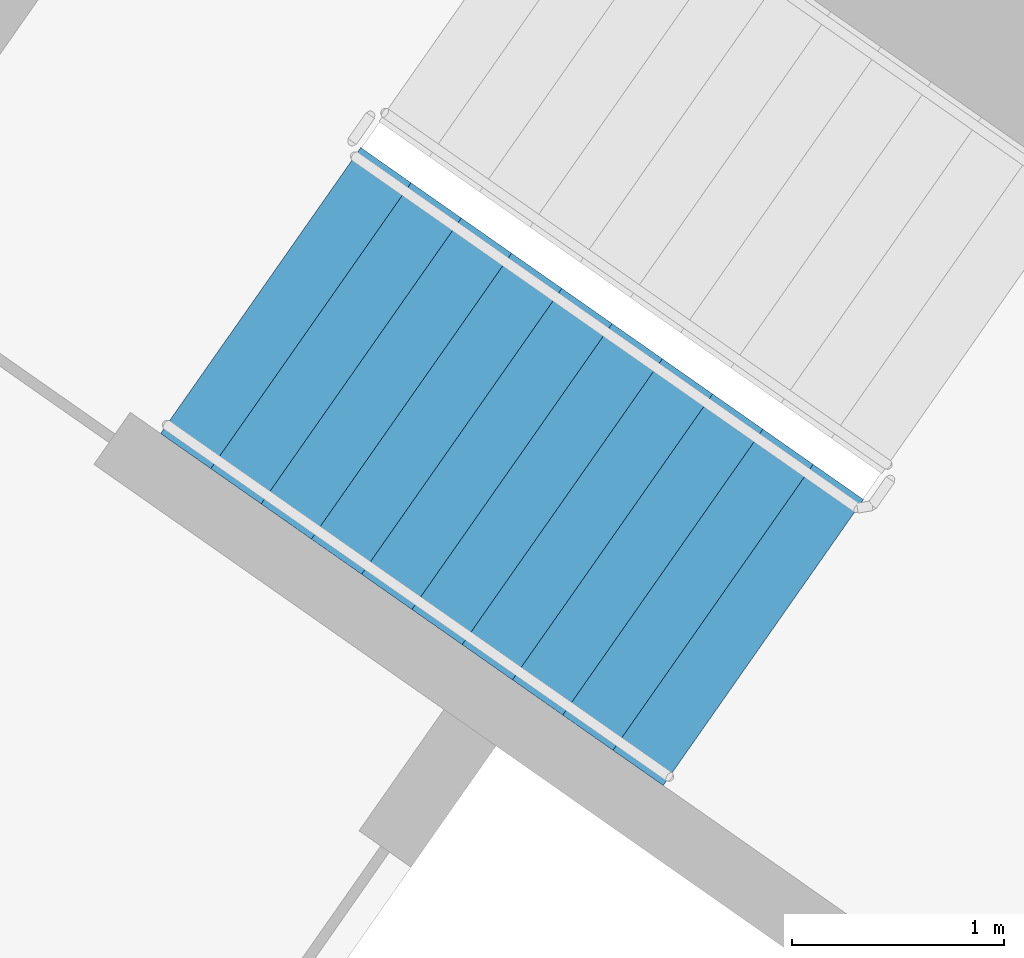
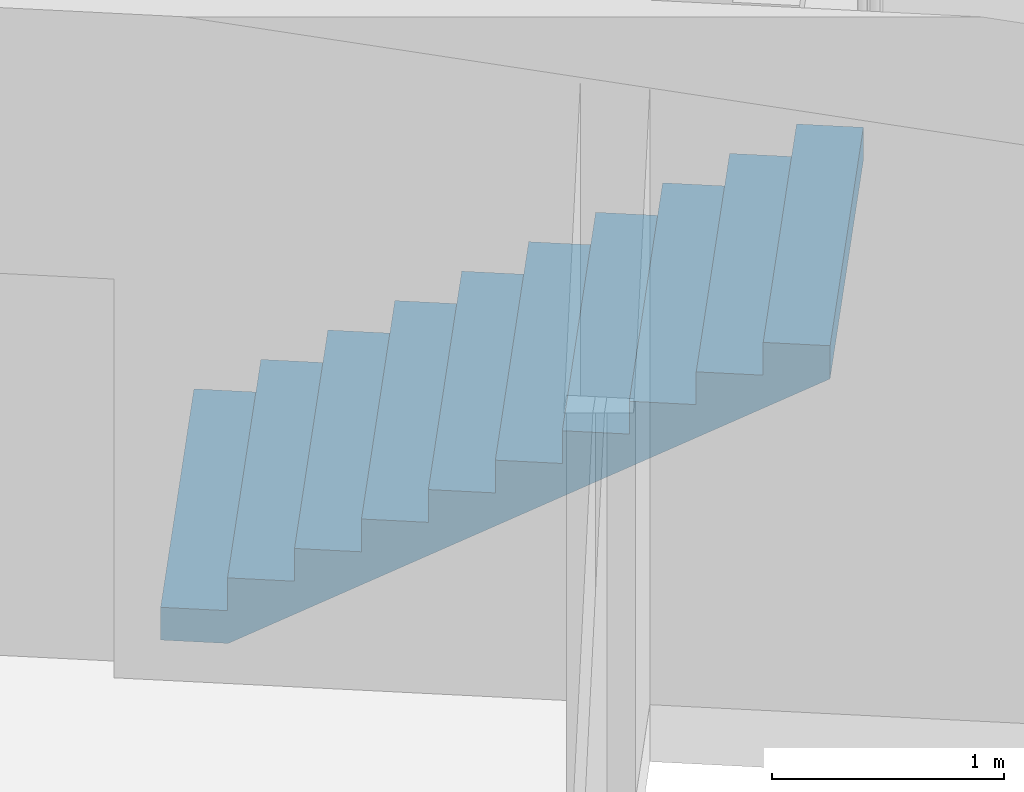
# One storey, part 11 of 27: 1 stair flight, 1 element without a shape of its own.
"""IFC4 building model written with IfcOpenShell, lengths in metres."""

from ifc_helpers import new_model, si_unit, direction, frame, origin, place, context, subcontext, project, spatial, faceted_brep, material, type_object, element, aggregate, save


model = new_model("IFC4")

# Units and contexts
model_context = context("Model", 3, precision=1e-05, world=origin(), true_north=direction((0.0, 1.0)))
body_context = subcontext(model_context, "Body", "Model", "MODEL_VIEW")
ifc_project = project(units=[si_unit("LENGTHUNIT", "METRE"), si_unit("AREAUNIT", "SQUARE_METRE"), si_unit("VOLUMEUNIT", "CUBIC_METRE"), si_unit("PLANEANGLEUNIT", "RADIAN"), si_unit("MASSUNIT", "GRAM", prefix="KILO")], contexts=[model_context])

# Site, building, storey
site_placement = place(None, origin())
site = spatial("IfcSite", under=ifc_project, at=site_placement, CompositionType="ELEMENT")
building_placement = place(site_placement, origin())
building = spatial("IfcBuilding", under=site, at=building_placement, Name="Qamariyya Broadcast Tower", CompositionType="ELEMENT")
storey_placement = place(building_placement, frame((0.0, 0.0, 211.300048828125)))
storey = spatial("IfcBuildingStorey", under=building, at=storey_placement, Name="L50", CompositionType="ELEMENT", Elevation=211.300048828125)

# Stair, stair flight
ifc_material = material(Name="Concrete C50/60", Category="concrete")
stair_type = type_object("IfcStairType", Name="Exit stair 22 risers of 173 mm", PredefinedType="HALF_TURN_STAIR", material=ifc_material)
stair_placement = place(storey_placement, origin())
stair = element("IfcStair", 1, at=stair_placement, inside=storey, type_object=stair_type, Name="L50 Stair W2", PredefinedType="HALF_TURN_STAIR")
stair_flight_type = type_object("IfcStairFlightType", Name="Exit stair flight 11 risers of 173 mm", PredefinedType="STRAIGHT", material=ifc_material)
stair_flight_placement = place(storey_placement, frame((-41.59130859375, -49.15966796875, 0.0), z_axis=(0.0, 0.0, 1.0), x_axis=(0.819152044289, -0.573576436351, 0.0)))
stair_flight = element("IfcStairFlight", 2, at=stair_flight_placement, type_object=stair_flight_type, Name="ST-W2 flight 1", NumberOfRisers=11, NumberOfTreads=10, PredefinedType="STRAIGHT", RiserHeight=0.172727273, TreadLength=0.29, context=body_context, shape_type="Brep", body=[
    faceted_brep([(0.0, 0.824951171875, 0.0), (0.0, 0.824951171875, 0.172607421875), (0.2900390625, 0.824951171875, 0.172607421875), (0.2900390625, 0.824951171875, 0.345458984375), (0.580078125, 0.824951171875, 0.345458984375), (0.580078125, 0.824951171875, 0.51806640625), (0.8701171875, 0.824951171875, 0.51806640625), (0.8701171875, 0.824951171875, 0.69091796875), (1.159912109375, 0.824951171875, 0.69091796875), (1.159912109375, 0.824951171875, 0.863525390625), (1.449951171875, 0.824951171875, 0.863525390625), (1.449951171875, 0.824951171875, 1.036376953125), (1.739990234375, 0.824951171875, 1.036376953125), (1.739990234375, 0.824951171875, 1.208984375), (2.030029296875, 0.824951171875, 1.208984375), (2.030029296875, 0.824951171875, 1.3818359375), (2.320068359375, 0.824951171875, 1.3818359375), (2.320068359375, 0.824951171875, 1.554443359375), (2.610107421875, 0.824951171875, 1.554443359375), (2.610107421875, 0.824951171875, 1.727294921875), (2.89990234375, 0.824951171875, 1.727294921875), (2.89990234375, 0.824951171875, 1.552734375), (0.29296875, 0.824951171875, 0.0), (0.29296875, -0.824951171875, 0.0), (2.89990234375, -0.824951171875, 1.552734375), (2.89990234375, -0.824951171875, 1.727294921875), (2.610107421875, -0.824951171875, 1.727294921875), (2.610107421875, -0.824951171875, 1.554443359375), (2.320068359375, -0.824951171875, 1.554443359375), (2.320068359375, -0.824951171875, 1.3818359375), (2.030029296875, -0.824951171875, 1.3818359375), (2.030029296875, -0.824951171875, 1.208984375), (1.739990234375, -0.824951171875, 1.208984375), (1.739990234375, -0.824951171875, 1.036376953125), (1.449951171875, -0.824951171875, 1.036376953125), (1.449951171875, -0.824951171875, 0.863525390625), (1.159912109375, -0.824951171875, 0.863525390625), (1.159912109375, -0.824951171875, 0.69091796875), (0.8701171875, -0.824951171875, 0.69091796875), (0.8701171875, -0.824951171875, 0.51806640625), (0.580078125, -0.824951171875, 0.51806640625), (0.580078125, -0.824951171875, 0.345458984375), (0.2900390625, -0.824951171875, 0.345458984375), (0.2900390625, -0.824951171875, 0.172607421875), (0.0, -0.824951171875, 0.172607421875), (0.0, -0.824951171875, 0.0), (0.0, 0.10009765625, 0.0), (0.0, 0.086669921875, 0.0), (0.0, 0.0732421875, 0.0), (0.0, 0.06005859375, 0.0), (0.0, 0.046630859375, 0.0), (0.0, 0.033447265625, 0.0), (0.0, 0.02001953125, 0.0), (0.0, 0.006591796875, 0.0), (0.0, -0.006591796875, 0.0), (0.0, -0.02001953125, 0.0), (0.0, -0.033447265625, 0.0), (0.0, -0.046630859375, 0.0), (0.0, -0.06005859375, 0.0), (0.0, -0.0732421875, 0.0), (0.0, -0.086669921875, 0.0), (0.0, -0.10009765625, 0.0), (0.0, -0.10009765625, 0.172607421875), (0.0, -0.086669921875, 0.172607421875), (0.0, -0.0732421875, 0.172607421875), (0.0, -0.06005859375, 0.172607421875), (0.0, -0.046630859375, 0.172607421875), (0.0, -0.033447265625, 0.172607421875), (0.0, -0.02001953125, 0.172607421875), (0.0, -0.006591796875, 0.172607421875), (0.0, 0.006591796875, 0.172607421875), (0.0, 0.02001953125, 0.172607421875), (0.0, 0.033447265625, 0.172607421875), (0.0, 0.046630859375, 0.172607421875), (0.0, 0.06005859375, 0.172607421875), (0.0, 0.0732421875, 0.172607421875), (0.0, 0.086669921875, 0.172607421875), (0.0, 0.10009765625, 0.172607421875), (0.2900390625, -0.10009765625, 0.172607421875), (0.2900390625, -0.086669921875, 0.172607421875), (0.2900390625, -0.0732421875, 0.172607421875), (0.2900390625, -0.06005859375, 0.172607421875), (0.2900390625, -0.046630859375, 0.172607421875), (0.2900390625, -0.033447265625, 0.172607421875), (0.2900390625, -0.02001953125, 0.172607421875), (0.2900390625, -0.006591796875, 0.172607421875), (0.2900390625, 0.006591796875, 0.172607421875), (0.2900390625, 0.02001953125, 0.172607421875), (0.2900390625, 0.033447265625, 0.172607421875), (0.2900390625, 0.046630859375, 0.172607421875), (0.2900390625, 0.06005859375, 0.172607421875), (0.2900390625, 0.0732421875, 0.172607421875), (0.2900390625, 0.086669921875, 0.172607421875), (0.2900390625, 0.10009765625, 0.172607421875), (0.2900390625, -0.10009765625, 0.345458984375), (0.2900390625, -0.086669921875, 0.345458984375), (0.2900390625, -0.0732421875, 0.345458984375), (0.2900390625, -0.06005859375, 0.345458984375), (0.2900390625, -0.046630859375, 0.345458984375), (0.2900390625, -0.033447265625, 0.345458984375), (0.2900390625, -0.02001953125, 0.345458984375), (0.2900390625, -0.006591796875, 0.345458984375), (0.2900390625, 0.006591796875, 0.345458984375), (0.2900390625, 0.02001953125, 0.345458984375), (0.2900390625, 0.033447265625, 0.345458984375), (0.2900390625, 0.046630859375, 0.345458984375), (0.2900390625, 0.06005859375, 0.345458984375), (0.2900390625, 0.0732421875, 0.345458984375), (0.2900390625, 0.086669921875, 0.345458984375), (0.2900390625, 0.10009765625, 0.345458984375), (0.580078125, -0.10009765625, 0.345458984375), (0.580078125, -0.086669921875, 0.345458984375), (0.580078125, -0.0732421875, 0.345458984375), (0.580078125, -0.06005859375, 0.345458984375), (0.580078125, -0.046630859375, 0.345458984375), (0.580078125, -0.033447265625, 0.345458984375), (0.580078125, -0.02001953125, 0.345458984375), (0.580078125, -0.006591796875, 0.345458984375), (0.580078125, 0.006591796875, 0.345458984375), (0.580078125, 0.02001953125, 0.345458984375), (0.580078125, 0.033447265625, 0.345458984375), (0.580078125, 0.046630859375, 0.345458984375), (0.580078125, 0.06005859375, 0.345458984375), (0.580078125, 0.0732421875, 0.345458984375), (0.580078125, 0.086669921875, 0.345458984375), (0.580078125, 0.10009765625, 0.345458984375), (0.580078125, -0.10009765625, 0.51806640625), (0.580078125, -0.086669921875, 0.51806640625), (0.580078125, -0.0732421875, 0.51806640625), (0.580078125, -0.06005859375, 0.51806640625), (0.580078125, -0.046630859375, 0.51806640625), (0.580078125, -0.033447265625, 0.51806640625), (0.580078125, -0.02001953125, 0.51806640625), (0.580078125, -0.006591796875, 0.51806640625), (0.580078125, 0.006591796875, 0.51806640625), (0.580078125, 0.02001953125, 0.51806640625), (0.580078125, 0.033447265625, 0.51806640625), (0.580078125, 0.046630859375, 0.51806640625), (0.580078125, 0.06005859375, 0.51806640625), (0.580078125, 0.0732421875, 0.51806640625), (0.580078125, 0.086669921875, 0.51806640625), (0.580078125, 0.10009765625, 0.51806640625), (0.8701171875, -0.10009765625, 0.51806640625), (0.8701171875, -0.086669921875, 0.51806640625), (0.8701171875, -0.0732421875, 0.51806640625), (0.8701171875, -0.06005859375, 0.51806640625), (0.8701171875, -0.046630859375, 0.51806640625), (0.8701171875, -0.033447265625, 0.51806640625), (0.8701171875, -0.02001953125, 0.51806640625), (0.8701171875, -0.006591796875, 0.51806640625), (0.8701171875, 0.006591796875, 0.51806640625), (0.8701171875, 0.02001953125, 0.51806640625), (0.8701171875, 0.033447265625, 0.51806640625), (0.8701171875, 0.046630859375, 0.51806640625), (0.8701171875, 0.06005859375, 0.51806640625), (0.8701171875, 0.0732421875, 0.51806640625), (0.8701171875, 0.086669921875, 0.51806640625), (0.8701171875, 0.10009765625, 0.51806640625), (0.8701171875, -0.10009765625, 0.69091796875), (0.8701171875, -0.086669921875, 0.69091796875), (0.8701171875, -0.0732421875, 0.69091796875), (0.8701171875, -0.06005859375, 0.69091796875), (0.8701171875, -0.046630859375, 0.69091796875), (0.8701171875, -0.033447265625, 0.69091796875), (0.8701171875, -0.02001953125, 0.69091796875), (0.8701171875, -0.006591796875, 0.69091796875), (0.8701171875, 0.006591796875, 0.69091796875), (0.8701171875, 0.02001953125, 0.69091796875), (0.8701171875, 0.033447265625, 0.69091796875), (0.8701171875, 0.046630859375, 0.69091796875), (0.8701171875, 0.06005859375, 0.69091796875), (0.8701171875, 0.0732421875, 0.69091796875), (0.8701171875, 0.086669921875, 0.69091796875), (0.8701171875, 0.10009765625, 0.69091796875), (1.159912109375, -0.10009765625, 0.69091796875), (1.159912109375, -0.086669921875, 0.69091796875), (1.159912109375, -0.0732421875, 0.69091796875), (1.159912109375, -0.06005859375, 0.69091796875), (1.159912109375, -0.046630859375, 0.69091796875), (1.159912109375, -0.033447265625, 0.69091796875), (1.159912109375, -0.02001953125, 0.69091796875), (1.159912109375, -0.006591796875, 0.69091796875), (1.159912109375, 0.006591796875, 0.69091796875), (1.159912109375, 0.02001953125, 0.69091796875), (1.159912109375, 0.033447265625, 0.69091796875), (1.159912109375, 0.046630859375, 0.69091796875), (1.159912109375, 0.06005859375, 0.69091796875), (1.159912109375, 0.0732421875, 0.69091796875), (1.159912109375, 0.086669921875, 0.69091796875), (1.159912109375, 0.10009765625, 0.69091796875), (1.159912109375, -0.10009765625, 0.863525390625), (1.159912109375, -0.086669921875, 0.863525390625), (1.159912109375, -0.0732421875, 0.863525390625), (1.159912109375, -0.06005859375, 0.863525390625), (1.159912109375, -0.046630859375, 0.863525390625), (1.159912109375, -0.033447265625, 0.863525390625), (1.159912109375, -0.02001953125, 0.863525390625), (1.159912109375, -0.006591796875, 0.863525390625), (1.159912109375, 0.006591796875, 0.863525390625), (1.159912109375, 0.02001953125, 0.863525390625), (1.159912109375, 0.033447265625, 0.863525390625), (1.159912109375, 0.046630859375, 0.863525390625), (1.159912109375, 0.06005859375, 0.863525390625), (1.159912109375, 0.0732421875, 0.863525390625), (1.159912109375, 0.086669921875, 0.863525390625), (1.159912109375, 0.10009765625, 0.863525390625), (1.449951171875, -0.10009765625, 0.863525390625), (1.449951171875, -0.086669921875, 0.863525390625), (1.449951171875, -0.0732421875, 0.863525390625), (1.449951171875, -0.06005859375, 0.863525390625), (1.449951171875, -0.046630859375, 0.863525390625), (1.449951171875, -0.033447265625, 0.863525390625), (1.449951171875, -0.02001953125, 0.863525390625), (1.449951171875, -0.006591796875, 0.863525390625), (1.449951171875, 0.006591796875, 0.863525390625), (1.449951171875, 0.02001953125, 0.863525390625), (1.449951171875, 0.033447265625, 0.863525390625), (1.449951171875, 0.046630859375, 0.863525390625), (1.449951171875, 0.06005859375, 0.863525390625), (1.449951171875, 0.0732421875, 0.863525390625), (1.449951171875, 0.086669921875, 0.863525390625), (1.449951171875, 0.10009765625, 0.863525390625), (1.449951171875, -0.10009765625, 1.036376953125), (1.449951171875, -0.086669921875, 1.036376953125), (1.449951171875, -0.0732421875, 1.036376953125), (1.449951171875, -0.06005859375, 1.036376953125), (1.449951171875, -0.046630859375, 1.036376953125), (1.449951171875, -0.033447265625, 1.036376953125), (1.449951171875, -0.02001953125, 1.036376953125), (1.449951171875, -0.006591796875, 1.036376953125), (1.449951171875, 0.006591796875, 1.036376953125), (1.449951171875, 0.02001953125, 1.036376953125), (1.449951171875, 0.033447265625, 1.036376953125), (1.449951171875, 0.046630859375, 1.036376953125), (1.449951171875, 0.06005859375, 1.036376953125), (1.449951171875, 0.0732421875, 1.036376953125), (1.449951171875, 0.086669921875, 1.036376953125), (1.449951171875, 0.10009765625, 1.036376953125), (1.739990234375, -0.10009765625, 1.036376953125), (1.739990234375, -0.086669921875, 1.036376953125), (1.739990234375, -0.0732421875, 1.036376953125), (1.739990234375, -0.06005859375, 1.036376953125), (1.739990234375, -0.046630859375, 1.036376953125), (1.739990234375, -0.033447265625, 1.036376953125), (1.739990234375, -0.02001953125, 1.036376953125), (1.739990234375, -0.006591796875, 1.036376953125), (1.739990234375, 0.006591796875, 1.036376953125), (1.739990234375, 0.02001953125, 1.036376953125), (1.739990234375, 0.033447265625, 1.036376953125), (1.739990234375, 0.046630859375, 1.036376953125), (1.739990234375, 0.06005859375, 1.036376953125), (1.739990234375, 0.0732421875, 1.036376953125), (1.739990234375, 0.086669921875, 1.036376953125), (1.739990234375, 0.10009765625, 1.036376953125), (1.739990234375, -0.10009765625, 1.208984375), (1.739990234375, -0.086669921875, 1.208984375), (1.739990234375, -0.0732421875, 1.208984375), (1.739990234375, -0.06005859375, 1.208984375), (1.739990234375, -0.046630859375, 1.208984375), (1.739990234375, -0.033447265625, 1.208984375), (1.739990234375, -0.02001953125, 1.208984375), (1.739990234375, -0.006591796875, 1.208984375), (1.739990234375, 0.006591796875, 1.208984375), (1.739990234375, 0.02001953125, 1.208984375), (1.739990234375, 0.033447265625, 1.208984375), (1.739990234375, 0.046630859375, 1.208984375), (1.739990234375, 0.06005859375, 1.208984375), (1.739990234375, 0.0732421875, 1.208984375), (1.739990234375, 0.086669921875, 1.208984375), (1.739990234375, 0.10009765625, 1.208984375), (2.030029296875, -0.10009765625, 1.208984375), (2.030029296875, -0.086669921875, 1.208984375), (2.030029296875, -0.0732421875, 1.208984375), (2.030029296875, -0.06005859375, 1.208984375), (2.030029296875, -0.046630859375, 1.208984375), (2.030029296875, -0.033447265625, 1.208984375), (2.030029296875, -0.02001953125, 1.208984375), (2.030029296875, -0.006591796875, 1.208984375), (2.030029296875, 0.006591796875, 1.208984375), (2.030029296875, 0.02001953125, 1.208984375), (2.030029296875, 0.033447265625, 1.208984375), (2.030029296875, 0.046630859375, 1.208984375), (2.030029296875, 0.06005859375, 1.208984375), (2.030029296875, 0.0732421875, 1.208984375), (2.030029296875, 0.086669921875, 1.208984375), (2.030029296875, 0.10009765625, 1.208984375), (2.030029296875, -0.10009765625, 1.3818359375), (2.030029296875, -0.086669921875, 1.3818359375), (2.030029296875, -0.0732421875, 1.3818359375), (2.030029296875, -0.06005859375, 1.3818359375), (2.030029296875, -0.046630859375, 1.3818359375), (2.030029296875, -0.033447265625, 1.3818359375), (2.030029296875, -0.02001953125, 1.3818359375), (2.030029296875, -0.006591796875, 1.3818359375), (2.030029296875, 0.006591796875, 1.3818359375), (2.030029296875, 0.02001953125, 1.3818359375), (2.030029296875, 0.033447265625, 1.3818359375), (2.030029296875, 0.046630859375, 1.3818359375), (2.030029296875, 0.06005859375, 1.3818359375), (2.030029296875, 0.0732421875, 1.3818359375), (2.030029296875, 0.086669921875, 1.3818359375), (2.030029296875, 0.10009765625, 1.3818359375), (2.320068359375, -0.10009765625, 1.3818359375), (2.320068359375, -0.086669921875, 1.3818359375), (2.320068359375, -0.0732421875, 1.3818359375), (2.320068359375, -0.06005859375, 1.3818359375), (2.320068359375, -0.046630859375, 1.3818359375), (2.320068359375, -0.033447265625, 1.3818359375), (2.320068359375, -0.02001953125, 1.3818359375), (2.320068359375, -0.006591796875, 1.3818359375), (2.320068359375, 0.006591796875, 1.3818359375), (2.320068359375, 0.02001953125, 1.3818359375), (2.320068359375, 0.033447265625, 1.3818359375), (2.320068359375, 0.046630859375, 1.3818359375), (2.320068359375, 0.06005859375, 1.3818359375), (2.320068359375, 0.0732421875, 1.3818359375), (2.320068359375, 0.086669921875, 1.3818359375), (2.320068359375, 0.10009765625, 1.3818359375), (2.320068359375, -0.10009765625, 1.554443359375), (2.320068359375, -0.086669921875, 1.554443359375), (2.320068359375, -0.0732421875, 1.554443359375), (2.320068359375, -0.06005859375, 1.554443359375), (2.320068359375, -0.046630859375, 1.554443359375), (2.320068359375, -0.033447265625, 1.554443359375), (2.320068359375, -0.02001953125, 1.554443359375), (2.320068359375, -0.006591796875, 1.554443359375), (2.320068359375, 0.006591796875, 1.554443359375), (2.320068359375, 0.02001953125, 1.554443359375), (2.320068359375, 0.033447265625, 1.554443359375), (2.320068359375, 0.046630859375, 1.554443359375), (2.320068359375, 0.06005859375, 1.554443359375), (2.320068359375, 0.0732421875, 1.554443359375), (2.320068359375, 0.086669921875, 1.554443359375), (2.320068359375, 0.10009765625, 1.554443359375), (2.610107421875, -0.10009765625, 1.554443359375), (2.610107421875, -0.086669921875, 1.554443359375), (2.610107421875, -0.0732421875, 1.554443359375), (2.610107421875, -0.06005859375, 1.554443359375), (2.610107421875, -0.046630859375, 1.554443359375), (2.610107421875, -0.033447265625, 1.554443359375), (2.610107421875, -0.02001953125, 1.554443359375), (2.610107421875, -0.006591796875, 1.554443359375), (2.610107421875, 0.006591796875, 1.554443359375), (2.610107421875, 0.02001953125, 1.554443359375), (2.610107421875, 0.033447265625, 1.554443359375), (2.610107421875, 0.046630859375, 1.554443359375), (2.610107421875, 0.06005859375, 1.554443359375), (2.610107421875, 0.0732421875, 1.554443359375), (2.610107421875, 0.086669921875, 1.554443359375), (2.610107421875, 0.10009765625, 1.554443359375), (2.610107421875, -0.10009765625, 1.727294921875), (2.610107421875, -0.086669921875, 1.727294921875), (2.610107421875, -0.0732421875, 1.727294921875), (2.610107421875, -0.06005859375, 1.727294921875), (2.610107421875, -0.046630859375, 1.727294921875), (2.610107421875, -0.033447265625, 1.727294921875), (2.610107421875, -0.02001953125, 1.727294921875), (2.610107421875, -0.006591796875, 1.727294921875), (2.610107421875, 0.006591796875, 1.727294921875), (2.610107421875, 0.02001953125, 1.727294921875), (2.610107421875, 0.033447265625, 1.727294921875), (2.610107421875, 0.046630859375, 1.727294921875), (2.610107421875, 0.06005859375, 1.727294921875), (2.610107421875, 0.0732421875, 1.727294921875), (2.610107421875, 0.086669921875, 1.727294921875), (2.610107421875, 0.10009765625, 1.727294921875), (2.89990234375, -0.10009765625, 1.727294921875), (2.89990234375, -0.086669921875, 1.727294921875), (2.89990234375, -0.0732421875, 1.727294921875), (2.89990234375, -0.06005859375, 1.727294921875), (2.89990234375, -0.046630859375, 1.727294921875), (2.89990234375, -0.033447265625, 1.727294921875), (2.89990234375, -0.02001953125, 1.727294921875), (2.89990234375, -0.006591796875, 1.727294921875), (2.89990234375, 0.006591796875, 1.727294921875), (2.89990234375, 0.02001953125, 1.727294921875), (2.89990234375, 0.033447265625, 1.727294921875), (2.89990234375, 0.046630859375, 1.727294921875), (2.89990234375, 0.06005859375, 1.727294921875), (2.89990234375, 0.0732421875, 1.727294921875), (2.89990234375, 0.086669921875, 1.727294921875), (2.89990234375, 0.10009765625, 1.727294921875), (2.89990234375, -0.10009765625, 1.552734375), (2.89990234375, -0.086669921875, 1.552734375), (2.89990234375, -0.0732421875, 1.552734375), (2.89990234375, -0.06005859375, 1.552734375), (2.89990234375, -0.046630859375, 1.552734375), (2.89990234375, -0.033447265625, 1.552734375), (2.89990234375, -0.02001953125, 1.552734375), (2.89990234375, -0.006591796875, 1.552734375), (2.89990234375, 0.006591796875, 1.552734375), (2.89990234375, 0.02001953125, 1.552734375), (2.89990234375, 0.033447265625, 1.552734375), (2.89990234375, 0.046630859375, 1.552734375), (2.89990234375, 0.06005859375, 1.552734375), (2.89990234375, 0.0732421875, 1.552734375), (2.89990234375, 0.086669921875, 1.552734375), (2.89990234375, 0.10009765625, 1.552734375), (0.29296875, -0.10009765625, 0.0), (0.29296875, -0.086669921875, 0.0), (0.29296875, -0.0732421875, 0.0), (0.29296875, -0.06005859375, 0.0), (0.29296875, -0.046630859375, 0.0), (0.29296875, -0.033447265625, 0.0), (0.29296875, -0.02001953125, 0.0), (0.29296875, -0.006591796875, 0.0), (0.29296875, 0.006591796875, 0.0), (0.29296875, 0.02001953125, 0.0), (0.29296875, 0.033447265625, 0.0), (0.29296875, 0.046630859375, 0.0), (0.29296875, 0.06005859375, 0.0), (0.29296875, 0.0732421875, 0.0), (0.29296875, 0.086669921875, 0.0), (0.29296875, 0.10009765625, 0.0)], [[[0, 1, 2, 3, 4, 5, 6, 7, 8, 9, 10, 11, 12, 13, 14, 15, 16, 17, 18, 19, 20, 21, 22]], [[23, 24, 25, 26, 27, 28, 29, 30, 31, 32, 33, 34, 35, 36, 37, 38, 39, 40, 41, 42, 43, 44, 45]], [[0, 46, 47, 48, 49, 50, 51, 52, 53, 54, 55, 56, 57, 58, 59, 60, 61, 45, 44, 62, 63, 64, 65, 66, 67, 68, 69, 70, 71, 72, 73, 74, 75, 76, 77, 1]], [[1, 77, 76, 75, 74, 73, 72, 71, 70, 69, 68, 67, 66, 65, 64, 63, 62, 44, 43, 78, 79, 80, 81, 82, 83, 84, 85, 86, 87, 88, 89, 90, 91, 92, 93, 2]], [[2, 93, 92, 91, 90, 89, 88, 87, 86, 85, 84, 83, 82, 81, 80, 79, 78, 43, 42, 94, 95, 96, 97, 98, 99, 100, 101, 102, 103, 104, 105, 106, 107, 108, 109, 3]], [[3, 109, 108, 107, 106, 105, 104, 103, 102, 101, 100, 99, 98, 97, 96, 95, 94, 42, 41, 110, 111, 112, 113, 114, 115, 116, 117, 118, 119, 120, 121, 122, 123, 124, 125, 4]], [[4, 125, 124, 123, 122, 121, 120, 119, 118, 117, 116, 115, 114, 113, 112, 111, 110, 41, 40, 126, 127, 128, 129, 130, 131, 132, 133, 134, 135, 136, 137, 138, 139, 140, 141, 5]], [[5, 141, 140, 139, 138, 137, 136, 135, 134, 133, 132, 131, 130, 129, 128, 127, 126, 40, 39, 142, 143, 144, 145, 146, 147, 148, 149, 150, 151, 152, 153, 154, 155, 156, 157, 6]], [[6, 157, 156, 155, 154, 153, 152, 151, 150, 149, 148, 147, 146, 145, 144, 143, 142, 39, 38, 158, 159, 160, 161, 162, 163, 164, 165, 166, 167, 168, 169, 170, 171, 172, 173, 7]], [[7, 173, 172, 171, 170, 169, 168, 167, 166, 165, 164, 163, 162, 161, 160, 159, 158, 38, 37, 174, 175, 176, 177, 178, 179, 180, 181, 182, 183, 184, 185, 186, 187, 188, 189, 8]], [[8, 189, 188, 187, 186, 185, 184, 183, 182, 181, 180, 179, 178, 177, 176, 175, 174, 37, 36, 190, 191, 192, 193, 194, 195, 196, 197, 198, 199, 200, 201, 202, 203, 204, 205, 9]], [[9, 205, 204, 203, 202, 201, 200, 199, 198, 197, 196, 195, 194, 193, 192, 191, 190, 36, 35, 206, 207, 208, 209, 210, 211, 212, 213, 214, 215, 216, 217, 218, 219, 220, 221, 10]], [[10, 221, 220, 219, 218, 217, 216, 215, 214, 213, 212, 211, 210, 209, 208, 207, 206, 35, 34, 222, 223, 224, 225, 226, 227, 228, 229, 230, 231, 232, 233, 234, 235, 236, 237, 11]], [[11, 237, 236, 235, 234, 233, 232, 231, 230, 229, 228, 227, 226, 225, 224, 223, 222, 34, 33, 238, 239, 240, 241, 242, 243, 244, 245, 246, 247, 248, 249, 250, 251, 252, 253, 12]], [[12, 253, 252, 251, 250, 249, 248, 247, 246, 245, 244, 243, 242, 241, 240, 239, 238, 33, 32, 254, 255, 256, 257, 258, 259, 260, 261, 262, 263, 264, 265, 266, 267, 268, 269, 13]], [[13, 269, 268, 267, 266, 265, 264, 263, 262, 261, 260, 259, 258, 257, 256, 255, 254, 32, 31, 270, 271, 272, 273, 274, 275, 276, 277, 278, 279, 280, 281, 282, 283, 284, 285, 14]], [[14, 285, 284, 283, 282, 281, 280, 279, 278, 277, 276, 275, 274, 273, 272, 271, 270, 31, 30, 286, 287, 288, 289, 290, 291, 292, 293, 294, 295, 296, 297, 298, 299, 300, 301, 15]], [[15, 301, 300, 299, 298, 297, 296, 295, 294, 293, 292, 291, 290, 289, 288, 287, 286, 30, 29, 302, 303, 304, 305, 306, 307, 308, 309, 310, 311, 312, 313, 314, 315, 316, 317, 16]], [[16, 317, 316, 315, 314, 313, 312, 311, 310, 309, 308, 307, 306, 305, 304, 303, 302, 29, 28, 318, 319, 320, 321, 322, 323, 324, 325, 326, 327, 328, 329, 330, 331, 332, 333, 17]], [[17, 333, 332, 331, 330, 329, 328, 327, 326, 325, 324, 323, 322, 321, 320, 319, 318, 28, 27, 334, 335, 336, 337, 338, 339, 340, 341, 342, 343, 344, 345, 346, 347, 348, 349, 18]], [[18, 349, 348, 347, 346, 345, 344, 343, 342, 341, 340, 339, 338, 337, 336, 335, 334, 27, 26, 350, 351, 352, 353, 354, 355, 356, 357, 358, 359, 360, 361, 362, 363, 364, 365, 19]], [[19, 365, 364, 363, 362, 361, 360, 359, 358, 357, 356, 355, 354, 353, 352, 351, 350, 26, 25, 366, 367, 368, 369, 370, 371, 372, 373, 374, 375, 376, 377, 378, 379, 380, 381, 20]], [[20, 381, 380, 379, 378, 377, 376, 375, 374, 373, 372, 371, 370, 369, 368, 367, 366, 25, 24, 382, 383, 384, 385, 386, 387, 388, 389, 390, 391, 392, 393, 394, 395, 396, 397, 21]], [[21, 397, 396, 395, 394, 393, 392, 391, 390, 389, 388, 387, 386, 385, 384, 383, 382, 24, 23, 398, 399, 400, 401, 402, 403, 404, 405, 406, 407, 408, 409, 410, 411, 412, 413, 22]], [[22, 413, 412, 411, 410, 409, 408, 407, 406, 405, 404, 403, 402, 401, 400, 399, 398, 23, 45, 61, 60, 59, 58, 57, 56, 55, 54, 53, 52, 51, 50, 49, 48, 47, 46, 0]]]),
])
aggregate(stair, [stair_flight])

save(model, "model.ifc")
